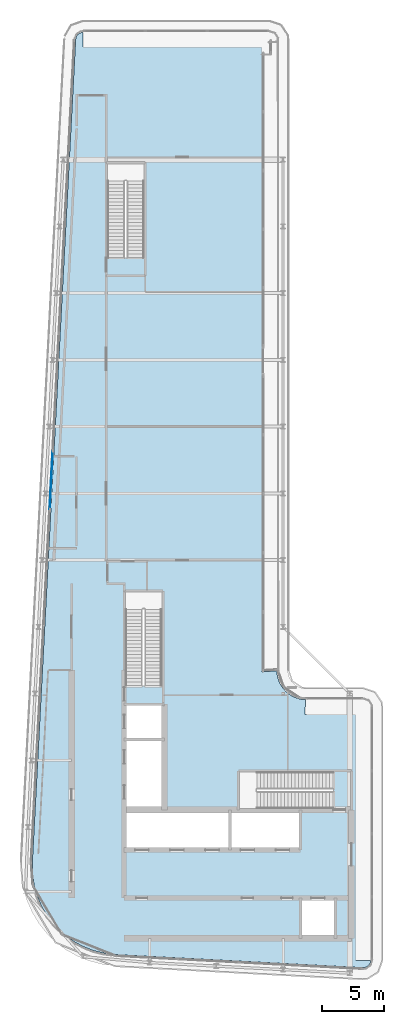
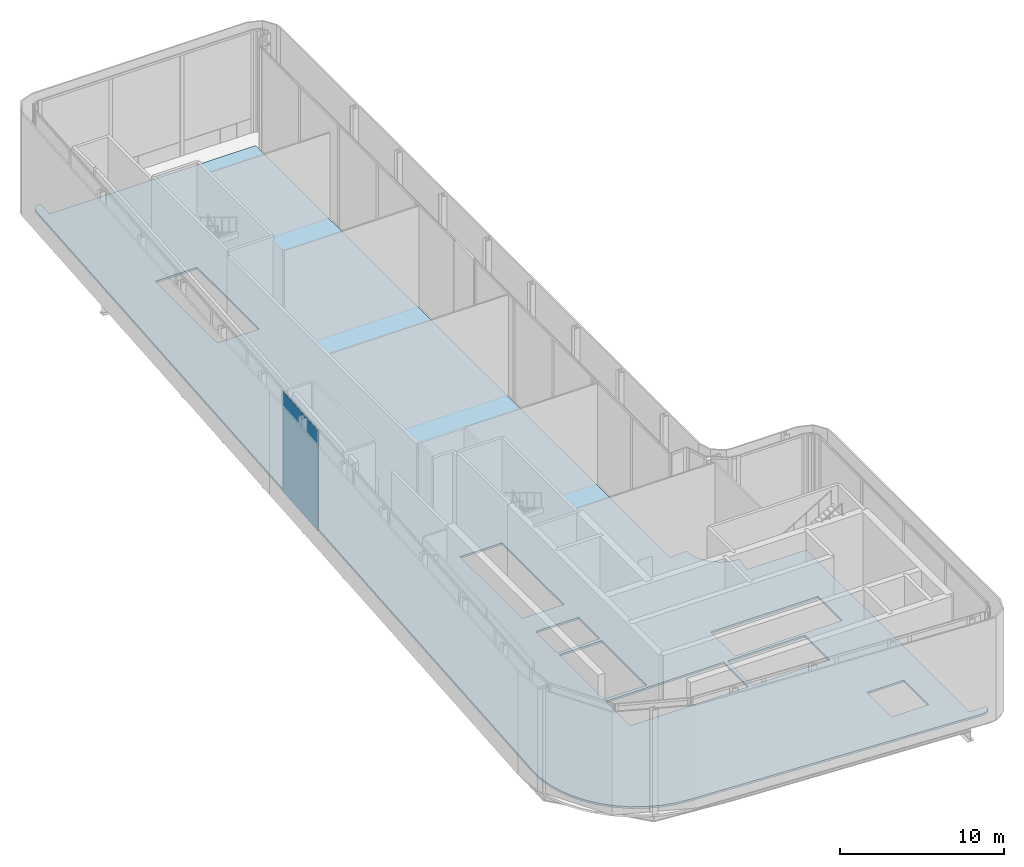
# One storey, part 13 of 23: 1 plate, 1 slab, 1 element without a shape of its own.
"""IFC4 building model written with IfcOpenShell, lengths in metres."""

import ifcopenshell
import ifcopenshell.guid

model = None  # the IFC model being written
_history = None  # IfcOwnerHistory: only IFC2X3 demands one
_inside = {}  # id of a spatial element -> (the spatial element, [elements in it])
_under = {}  # id of a project, library or spatial element -> (it, [spatial elements below it])
_declared = {}  # id of a project -> (the project, [libraries it declares])
_typed = {}  # id of a type object -> (the type object, [elements of that type])
_made_of = {}  # id of a material, layer set ... -> (it, [elements and type objects made of it])


def new_model(schema):
    """Start an empty IFC model of exactly this schema.

    Asked for "IFC4X3", IfcOpenShell would pick the latest addendum, in which some entities
    have other attributes; the version numbers below select the first issue.
    IFC2X3 requires an IfcOwnerHistory on every rooted entity: one is made here for all.
    """
    global model, _history
    if schema == "IFC4X3":
        model = ifcopenshell.file(schema_version=(4, 3, 0, 0))
    else:
        model = ifcopenshell.file(schema=schema)
    _inside.clear()
    _under.clear()
    _declared.clear()
    _typed.clear()
    _made_of.clear()
    _history = None
    if model.schema == "IFC2X3":
        org = make("IfcOrganization", Name="unknown")
        user = make(
            "IfcPersonAndOrganization",
            ThePerson=make("IfcPerson", FamilyName="unknown"),
            TheOrganization=org,
        )
        app = make(
            "IfcApplication",
            ApplicationDeveloper=org,
            Version="unknown",
            ApplicationFullName="unknown",
            ApplicationIdentifier="unknown",
        )
        _history = make(
            "IfcOwnerHistory",
            OwningUser=user,
            OwningApplication=app,
            ChangeAction="ADDED",
            CreationDate=0,
        )
    return model


def make(cls, **values):
    """One entity of the class cls with the attributes given. An attribute that is None is left unset."""
    return model.create_entity(
        cls, **{name: value for name, value in values.items() if value is not None}
    )


def rooted(cls, **values):
    """An entity with a GlobalId (a new one), such as an element, a storey or a relation."""
    return make(cls, GlobalId=ifcopenshell.guid.new(), OwnerHistory=_history, **values)


def si_unit(unit_type, name, prefix=None):
    """IfcSIUnit, for example si_unit("LENGTHUNIT", "METRE", prefix="MILLI")."""
    return make("IfcSIUnit", UnitType=unit_type, Prefix=prefix, Name=name)


def assignment(units):
    """IfcUnitAssignment: the units of a project."""
    return None if units is None else make("IfcUnitAssignment", Units=units)


def point(xyz):
    """IfcCartesianPoint."""
    return None if xyz is None else make("IfcCartesianPoint", Coordinates=xyz)


def direction(xyz):
    """IfcDirection."""
    return None if xyz is None else make("IfcDirection", DirectionRatios=xyz)


def frame(location, z_axis=None, x_axis=None):
    """IfcAxis2Placement3D, a coordinate frame: its origin and axes. An axis left out is left unset."""
    return make(
        "IfcAxis2Placement3D",
        Location=point(location),
        Axis=direction(z_axis),
        RefDirection=direction(x_axis),
    )


def frame_2d(location, x_axis=None):
    """IfcAxis2Placement2D, a coordinate frame in the plane: its origin and x axis."""
    return make(
        "IfcAxis2Placement2D", Location=point(location), RefDirection=direction(x_axis)
    )


def origin():
    """The frame at (0, 0, 0) with its axes left unset."""
    return frame((0.0, 0.0, 0.0))


def origin_2d():
    """The frame at (0, 0) in the plane with its x axis left unset."""
    return frame_2d((0.0, 0.0))


def place(relative_to, where):
    """IfcLocalPlacement: puts the frame where relative to a parent placement (None: the world)."""
    return make(
        "IfcLocalPlacement", PlacementRelTo=relative_to, RelativePlacement=where
    )


def context(
    kind, dimensions, precision=None, world=None, true_north=None, identifier=None
):
    """IfcGeometricRepresentationContext, for example the 3D "Model" context."""
    return make(
        "IfcGeometricRepresentationContext",
        ContextIdentifier=identifier,
        ContextType=kind,
        CoordinateSpaceDimension=dimensions,
        Precision=precision,
        WorldCoordinateSystem=world,
        TrueNorth=true_north,
    )


def subcontext(parent, identifier, kind, view, scale=None):
    """IfcGeometricRepresentationSubContext, for example "Body" below "Model"."""
    return make(
        "IfcGeometricRepresentationSubContext",
        ContextIdentifier=identifier,
        ContextType=kind,
        ParentContext=parent,
        TargetScale=scale,
        TargetView=view,
    )


def project(units=None, contexts=None):
    """IfcProject with its units and contexts."""
    return rooted(
        "IfcProject",
        Name="project",
        RepresentationContexts=contexts,
        UnitsInContext=assignment(units),
    )


def spatial(cls, under=None, at=None, **own):
    """A site, building, storey or space (cls), placed at a placement, below another one or the project."""
    s = rooted(cls, ObjectPlacement=at, **own)
    if under is not None:
        _under.setdefault(under.id(), (under, []))[1].append(s)
    return s


def polyline(points):
    """IfcPolyline through the points."""
    return make("IfcPolyline", Points=[point(p) for p in points])


def profile(cls, at=None, kind="AREA", **sizes):
    """A parametric profile (cls). Its sizes go by their IFC names, for example OverallWidth=200.0."""
    return make(cls, ProfileType=kind, Position=at, **sizes)


def rectangle(**sizes):
    """IfcRectangleProfileDef."""
    return profile("IfcRectangleProfileDef", **sizes)


def outline(outer, holes=None, kind="AREA"):
    """IfcArbitraryClosedProfileDef: a profile drawn as a closed curve; with holes, ...WithVoids."""
    if holes is None:
        return make("IfcArbitraryClosedProfileDef", ProfileType=kind, OuterCurve=outer)
    return make(
        "IfcArbitraryProfileDefWithVoids",
        ProfileType=kind,
        OuterCurve=outer,
        InnerCurves=holes,
    )


def extrude(swept, where, along, depth):
    """IfcExtrudedAreaSolid: the profile swept, set in the frame where, extruded along a direction by depth."""
    return make(
        "IfcExtrudedAreaSolid",
        SweptArea=swept,
        Position=where,
        ExtrudedDirection=direction(along),
        Depth=depth,
    )


def shape(context_of_items, identifier, shape_type, items):
    """IfcShapeRepresentation: the items that make up one representation, for example the "Body"."""
    return make(
        "IfcShapeRepresentation",
        ContextOfItems=context_of_items,
        RepresentationIdentifier=identifier,
        RepresentationType=shape_type,
        Items=items,
    )


def material(Name=None, Category=None):
    """IfcMaterial."""
    return make("IfcMaterial", Name=Name, Category=Category)


def layer(
    of_material, thickness, ventilated=None, Name=None, Category=None, Priority=None
):
    """IfcMaterialLayer: one layer of a wall or slab, of a material (None: an air gap)."""
    return make(
        "IfcMaterialLayer",
        Material=of_material,
        LayerThickness=thickness,
        IsVentilated=ventilated,
        Name=Name,
        Category=Category,
        Priority=Priority,
    )


def layer_set(layers, Name=None):
    """IfcMaterialLayerSet."""
    return make("IfcMaterialLayerSet", MaterialLayers=layers, LayerSetName=Name)


def made_of(thing, what):
    """Note that an element or type object is made of a material, layer set ...; save() writes the relation."""
    if what is not None:
        _made_of.setdefault(what.id(), (what, []))[1].append(thing)
    return thing


def type_object(cls, material=None, **own):
    """A type object (cls), such as IfcWallType, which elements share."""
    return made_of(rooted(cls, **own), material)


def element(
    cls,
    number,
    at=None,
    inside=None,
    cuts=None,
    type_object=None,
    material=None,
    context=None,
    identifier="Body",
    shape_type=None,
    held_by="IfcProductDefinitionShape",
    body=None,
    shapes=None,
    **own,
):
    """One element of the class cls, such as IfcWall. Its Tag is "e" and its number.

    at: its placement. inside: the storey or other place that contains it. cuts: it is an
    opening in that element (IfcRelVoidsElement). A single representation is given by context,
    identifier, shape_type and body (its items); several are given by shapes. held_by: the class
    of the entity that holds the representations. save() writes the other relations.
    """
    e = rooted(cls, Tag="e%d" % number, ObjectPlacement=at, **own)
    if body is not None:
        shapes = [shape(context, identifier, shape_type, body)]
    if shapes is not None:
        e.Representation = make(held_by, Representations=shapes)
    if inside is not None:
        _inside.setdefault(inside.id(), (inside, []))[1].append(e)
    if cuts is not None:
        rooted(
            "IfcRelVoidsElement", RelatingBuildingElement=cuts, RelatedOpeningElement=e
        )
    if type_object is not None:
        _typed.setdefault(type_object.id(), (type_object, []))[1].append(e)
    return made_of(e, material)


def aggregate(whole, parts):
    """IfcRelAggregates: a whole, such as a stair, and the parts it consists of."""
    return rooted("IfcRelAggregates", RelatingObject=whole, RelatedObjects=parts)


def save(model, path):
    """Write the relations noted so far, then the file.

    IfcRelAggregates (storeys below a building ...), IfcRelContainedInSpatialStructure (elements
    in a storey), IfcRelDefinesByType, IfcRelAssociatesMaterial and IfcRelDeclares: one each for
    every whole, place, type object, material and project.
    """
    for whole, parts in _under.values():
        aggregate(whole, parts)
    for where, things in _inside.values():
        rooted(
            "IfcRelContainedInSpatialStructure",
            RelatedElements=things,
            RelatingStructure=where,
        )
    for kind, things in _typed.values():
        rooted("IfcRelDefinesByType", RelatedObjects=things, RelatingType=kind)
    for what, things in _made_of.values():
        rooted("IfcRelAssociatesMaterial", RelatedObjects=things, RelatingMaterial=what)
    for by, libraries in _declared.values():
        rooted("IfcRelDeclares", RelatingContext=by, RelatedDefinitions=libraries)
    model.write(path)


model = new_model("IFC4")

# Units and contexts
model_context = context("Model", 3, precision=1e-05, world=origin(), true_north=direction((0.0, 1.0)))
body_context = subcontext(model_context, "Body", "Model", "MODEL_VIEW")
ifc_project = project(units=[si_unit("LENGTHUNIT", "METRE"), si_unit("AREAUNIT", "SQUARE_METRE"), si_unit("VOLUMEUNIT", "CUBIC_METRE"), si_unit("PLANEANGLEUNIT", "RADIAN"), si_unit("MASSUNIT", "GRAM", prefix="KILO")], contexts=[model_context])

# Site, building, storey
site_placement = place(None, origin())
site = spatial("IfcSite", under=ifc_project, at=site_placement, CompositionType="ELEMENT")
building_placement = place(site_placement, origin())
building = spatial("IfcBuilding", under=site, at=building_placement, Name="Kheshtan School and Residences Tower", CompositionType="ELEMENT")
storey_placement = place(building_placement, frame((0.0, 0.0, 389.0)))
storey = spatial("IfcBuildingStorey", under=building, at=storey_placement, Name="L92", CompositionType="ELEMENT", Elevation=389.0)

# Curtain wall, plate
ifc_material_1 = material(Name="Clear low-e glass in thermally broken aluminium frame", Category="aluminium")
ifc_layer_1 = layer(ifc_material_1, 0.25)
ifc_layer_set_1 = layer_set([ifc_layer_1], Name="Curtain wall CW-K")
curtain_wall_type = type_object("IfcCurtainWallType", Name="Curtain wall CW-K", PredefinedType="NOTDEFINED", material=ifc_layer_set_1)
curtain_wall_placement = place(storey_placement, origin())
curtain_wall = element("IfcCurtainWall", 1, at=curtain_wall_placement, inside=storey, type_object=curtain_wall_type, Name="Curtain wall CWK10a", PredefinedType="NOTDEFINED")
ifc_layer_2 = layer(ifc_material_1, 0.0380859375)
ifc_layer_set_2 = layer_set([ifc_layer_2], Name="CW-K glass panel")
plate_type = type_object("IfcPlateType", Name="CW-K glass panel", PredefinedType="CURTAIN_PANEL", material=ifc_layer_set_2)
plate_placement = place(storey_placement, frame((28.845947265625, 62.865234375, 0.0), z_axis=(0.0, 0.0, 1.0), x_axis=(0.05256513568, 0.998617497599, 0.0)))
plate = element("IfcPlate", 2, at=plate_placement, type_object=plate_type, Name="CWK10a panel 7.1", PredefinedType="CURTAIN_PANEL", context=body_context, shape_type="SweptSolid", body=[
    extrude(rectangle(XDim=4.69873046875, YDim=0.0380859375, at=origin_2d()), origin(), (0.0, 0.0, 1.0), 7.489990234375),
])
aggregate(curtain_wall, [plate])

# Slab
ifc_material_2 = material(Name="Concrete C40/50", Category="concrete")
ifc_layer_3 = layer(ifc_material_2, 0.14990234375)
ifc_layer_set_3 = layer_set([ifc_layer_3], Name="Floor slab 150 Concrete C40/50")
slab_type = type_object("IfcSlabType", Name="Floor slab 150 Concrete C40/50", PredefinedType="FLOOR", material=ifc_layer_set_3)
slab_placement = place(storey_placement, frame((0.0, 0.0, -0.14990234375)))
element("IfcSlab", 3, at=slab_placement, inside=storey, type_object=slab_type, Name="Floor slab L92", PredefinedType="FLOOR", context=body_context, shape_type="SweptSolid", body=[
    extrude(outline(polyline([(30.85693359375, 98.69189453125), (30.888916015625, 98.77001953125), (30.931884765625, 98.840087890625), (30.98291015625, 98.904052734375), (31.04296875, 98.9619140625), (31.10693359375, 99.008056640625), (31.18310546875, 99.047119140625), (31.260986328125, 99.074951171875), (31.341064453125, 99.092041015625), (31.423095703125, 99.097900390625), (31.423095703125, 97.902099609375), (31.423095703125, 97.90087890625), (31.424072265625, 97.89990234375), (31.425048828125, 97.89990234375), (45.85009765625, 97.89990234375), (45.85498046875, 97.89990234375), (45.860107421875, 97.89892578125), (45.864990234375, 97.89794921875), (45.868896484375, 97.89599609375), (45.8740234375, 97.89404296875), (45.8779296875, 97.89208984375), (45.882080078125, 97.888916015625), (45.885009765625, 97.885009765625), (45.888916015625, 97.882080078125), (45.89208984375, 97.8779296875), (45.89404296875, 97.8740234375), (45.89599609375, 97.868896484375), (45.89794921875, 97.864990234375), (45.89892578125, 97.860107421875), (45.89990234375, 97.85498046875), (45.89990234375, 97.85009765625), (45.89990234375, 97.39990234375), (45.89990234375, 47.501953125), (45.89990234375, 47.5009765625), (45.89990234375, 47.429931640625), (45.905029296875, 47.361083984375), (47.10205078125, 47.43994140625), (47.118896484375, 47.18603515625), (47.179931640625, 46.87890625), (47.281005859375, 46.5810546875), (47.419921875, 46.299072265625), (47.593994140625, 46.0390625), (47.801025390625, 45.801025390625), (48.0390625, 45.593994140625), (48.299072265625, 45.419921875), (48.5810546875, 45.281005859375), (48.87890625, 45.179931640625), (49.18603515625, 45.118896484375), (49.43994140625, 45.10205078125), (49.361083984375, 43.905029296875), (49.429931640625, 43.89990234375), (49.5, 43.89990234375), (49.5, 43.90087890625), (49.5009765625, 43.89990234375), (49.501953125, 43.89990234375), (53.449951171875, 43.89990234375), (53.455078125, 43.89990234375), (53.4599609375, 43.89892578125), (53.465087890625, 43.89794921875), (53.468994140625, 43.89599609375), (53.47412109375, 43.89404296875), (53.47802734375, 43.89208984375), (53.48193359375, 43.888916015625), (53.485107421875, 43.885009765625), (53.489013671875, 43.882080078125), (53.491943359375, 43.8779296875), (53.493896484375, 43.8740234375), (53.49609375, 43.868896484375), (53.498046875, 43.864990234375), (53.4990234375, 43.860107421875), (53.5, 43.85498046875), (53.5, 43.85009765625), (53.5, 24.02490234375), (53.5, 24.02392578125), (53.5009765625, 24.02294921875), (53.501953125, 24.02294921875), (54.697998046875, 24.02294921875), (54.69189453125, 23.943115234375), (54.676025390625, 23.863037109375), (54.64892578125, 23.784912109375), (54.612060546875, 23.712890625), (54.568115234375, 23.64990234375), (54.511962890625, 23.590087890625), (54.448974609375, 23.5380859375), (54.381103515625, 23.4951171875), (54.306884765625, 23.4619140625), (54.22802734375, 23.43896484375), (54.14794921875, 23.427001953125), (54.0439453125, 23.425048828125), (54.0380859375, 23.425048828125), (34.056884765625, 24.47802734375), (33.114990234375, 24.590087890625), (32.215087890625, 24.819091796875), (31.35205078125, 25.1630859375), (30.541015625, 25.616943359375), (29.798095703125, 26.172119140625), (29.134033203125, 26.820068359375), (28.55908203125, 27.550048828125), (28.0849609375, 28.345947265625), (27.718017578125, 29.200927734375), (27.466064453125, 30.093994140625), (27.3330078125, 31.013916015625), (27.320068359375, 31.965087890625), (27.320068359375, 31.970947265625), (30.822021484375, 98.5009765625), (30.822998046875, 98.508056640625), (30.8359375, 98.613037109375), (30.85693359375, 98.69189453125)]), holes=[polyline([(51.72509765625, 28.925048828125), (49.125, 28.925048828125), (49.125, 25.925048828125), (51.72509765625, 25.925048828125), (51.72509765625, 28.925048828125)]), polyline([(43.175048828125, 33.074951171875), (43.175048828125, 36.074951171875), (34.875, 36.074951171875), (34.875, 33.074951171875), (43.175048828125, 33.074951171875)]), polyline([(43.425048828125, 36.074951171875), (43.425048828125, 33.074951171875), (48.875, 33.074951171875), (48.875, 36.074951171875), (43.425048828125, 36.074951171875)]), polyline([(51.64990234375, 37.699951171875), (51.64990234375, 39.25), (44.090087890625, 39.25), (44.090087890625, 36.300048828125), (51.639892578125, 36.300048828125), (51.639892578125, 37.699951171875), (51.64990234375, 37.699951171875)]), polyline([(37.875, 41.77490234375), (34.875, 41.77490234375), (34.875, 36.324951171875), (37.875, 36.324951171875), (37.875, 41.77490234375)]), polyline([(37.875, 44.625), (34.875, 44.625), (34.875, 42.02490234375), (37.875, 42.02490234375), (37.875, 44.625)]), polyline([(37.800048828125, 53.81005859375), (34.85009765625, 53.81005859375), (34.85009765625, 46.260009765625), (36.25, 46.260009765625), (36.25, 46.25), (37.800048828125, 46.25), (37.800048828125, 53.81005859375)]), polyline([(36.35009765625, 88.4599609375), (33.39990234375, 88.4599609375), (33.39990234375, 80.909912109375), (34.800048828125, 80.909912109375), (34.800048828125, 80.89990234375), (36.35009765625, 80.89990234375), (36.35009765625, 88.4599609375)])]), origin(), (0.0, 0.0, 1.0), 0.14990234375),
])

save(model, "model.ifc")
